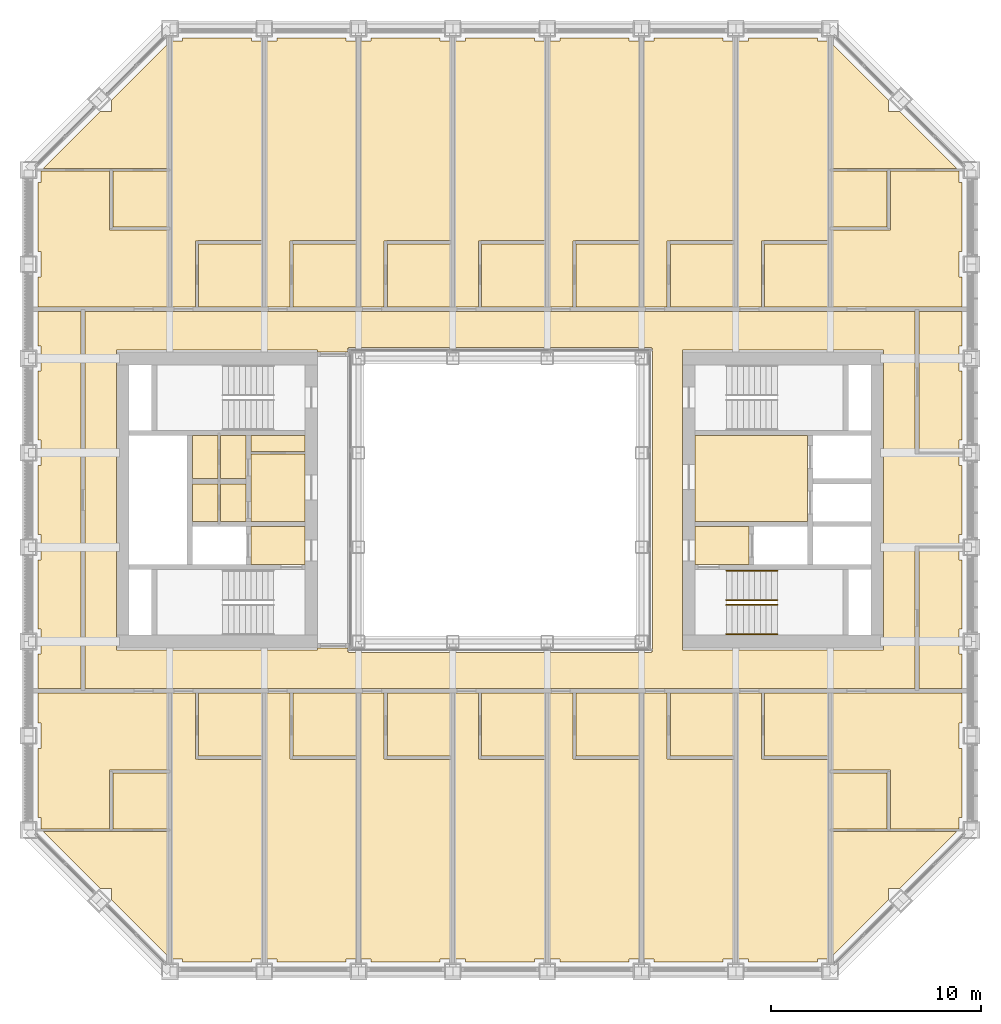
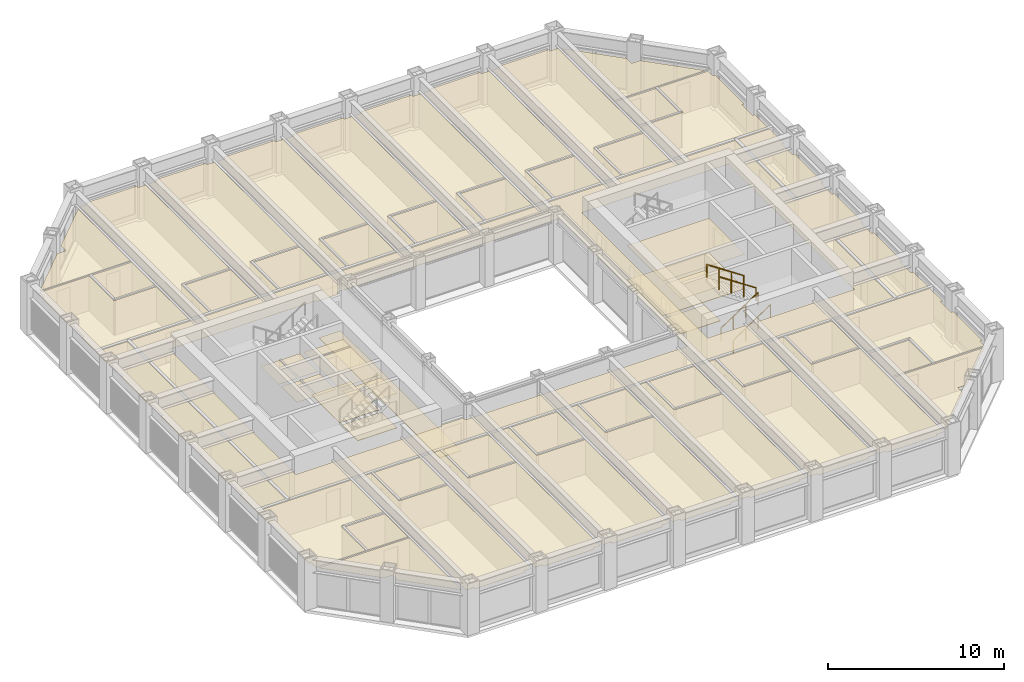
# One storey, part 17 of 18: 5 coverings, 4 railings.
"""IFC4 building model written with IfcOpenShell, lengths in metres."""

from ifc_helpers import new_model, si_unit, direction, frame, origin, origin_2d, place, context, subcontext, project, spatial, line, indexed_curve, circle, outline, extrude, material, layer, layer_set, type_object, element, save


model = new_model("IFC4")

# Units and contexts
model_context = context("Model", 3, precision=1e-05, world=origin(), true_north=direction((0.0, 1.0)))
body_context = subcontext(model_context, "Body", "Model", "MODEL_VIEW")
ifc_project = project(units=[si_unit("LENGTHUNIT", "METRE"), si_unit("AREAUNIT", "SQUARE_METRE"), si_unit("VOLUMEUNIT", "CUBIC_METRE"), si_unit("PLANEANGLEUNIT", "RADIAN"), si_unit("MASSUNIT", "GRAM", prefix="KILO")], contexts=[model_context])

# Site, building, storey
site_placement = place(None, origin())
site = spatial("IfcSite", under=ifc_project, at=site_placement, CompositionType="ELEMENT")
building_placement = place(site_placement, origin())
building = spatial("IfcBuilding", under=site, at=building_placement, Name="Msasa Ring Tower", CompositionType="ELEMENT")
storey_placement = place(building_placement, frame((0.0, 0.0, 118.39990234375)))
storey = spatial("IfcBuildingStorey", under=building, at=storey_placement, Name="L30", CompositionType="ELEMENT", Elevation=118.39990234375)

# Coverings
ifc_material_1 = material(Name="Gypsum plasterboard on a steel suspension grid", Category="steel")
ifc_layer_1 = layer(ifc_material_1, 0.014892578125)
ifc_layer_set_1 = layer_set([ifc_layer_1], Name="C1 SUSPENDED PLASTERBOARD CEILING 15")
covering_type_1 = type_object("IfcCoveringType", Name="C1 SUSPENDED PLASTERBOARD CEILING 15", PredefinedType="CEILING", material=ifc_layer_set_1)
covering_1_placement = place(storey_placement, frame((0.0, 0.0, 2.400146484375)))
element("IfcCovering", 1, at=covering_1_placement, inside=storey, type_object=covering_type_1, Name="Suspended Plasterboard Ceiling 15 circulation L30", PredefinedType="CEILING", context=body_context, shape_type="SweptSolid", body=[
    extrude(outline(indexed_curve([(19.799560546875, 2.199462890625), (21.8994140625, 2.199462890625), (21.8994140625, 1.6494140625), (22.049560546875, 1.6494140625), (22.049560546875, -1.6494140625), (21.8994140625, -1.6494140625), (21.8994140625, -2.199462890625), (19.799560546875, -2.199462890625), (19.799560546875, -8.99951171875), (-19.799560546875, -8.99951171875), (-19.799560546875, 8.99951171875), (19.799560546875, 8.99951171875)], segments=[line(1, 2, 3, 4, 5, 6, 7, 8, 9, 10, 11, 12, 1)], self_intersect=False), holes=[indexed_curve([(18.300537109375, -7.150390625), (18.300537109375, 7.150390625), (8.699462890625, 7.150390625), (8.699462890625, -7.150390625)], segments=[line(1, 2, 3, 4, 1)], self_intersect=False), indexed_curve([(-8.699462890625, 7.150390625), (-18.300537109375, 7.150390625), (-18.300537109375, -7.150390625), (-8.699462890625, -7.150390625), (-8.699462890625, -7.050537109375), (-7.280029296875, -7.050537109375), (-7.280517578125, -7.23046875), (-7.22998046875, -7.23046875), (-7.22998046875, -7.280029296875), (7.22998046875, -7.280029296875), (7.22998046875, -7.23046875), (7.280517578125, -7.23046875), (7.280517578125, 7.23046875), (7.22998046875, 7.23046875), (7.22998046875, 7.280029296875), (-7.22998046875, 7.280029296875), (-7.22998046875, 7.23046875), (-7.280517578125, 7.23046875), (-7.280029296875, 7.050537109375), (-8.699462890625, 7.050537109375)], segments=[line(1, 2, 3, 4, 5, 6, 7, 8, 9, 10, 11, 12, 13, 14, 15, 16, 17, 18, 19, 20, 1)], self_intersect=False)]), origin(), (0.0, 0.0, 1.0), 0.014892578125),
    extrude(outline(indexed_curve([(-9.300537109375, -3.074462890625), (-11.87451171875, -3.074462890625), (-11.87451171875, -1.275390625), (-9.300537109375, -1.275390625)], segments=[line(1, 2, 3, 4, 1)], self_intersect=False)), origin(), (0.0, 0.0, 1.0), 0.014892578125),
    extrude(outline(indexed_curve([(-11.87451171875, -1.0244140625), (-11.87451171875, 2.194580078125), (-9.300537109375, 2.194580078125), (-9.300537109375, -1.0244140625)], segments=[line(1, 2, 3, 4, 1)], self_intersect=False)), origin(), (0.0, 0.0, 1.0), 0.014892578125),
    extrude(outline(indexed_curve([(11.87451171875, -3.074462890625), (9.300537109375, -3.074462890625), (9.300537109375, -1.275390625), (11.87451171875, -1.275390625)], segments=[line(1, 2, 3, 4, 1)], self_intersect=False)), origin(), (0.0, 0.0, 1.0), 0.014892578125),
    extrude(outline(indexed_curve([(9.300537109375, -1.0244140625), (9.300537109375, 3.074462890625), (14.674560546875, 3.074462890625), (14.674560546875, -1.0244140625)], segments=[line(1, 2, 3, 4, 1)], self_intersect=False)), origin(), (0.0, 0.0, 1.0), 0.014892578125),
])
covering_2_placement = place(storey_placement, frame((0.0, 0.0, 2.408203125)))
element("IfcCovering", 2, at=covering_2_placement, inside=storey, type_object=covering_type_1, Name="Suspended Plasterboard Ceiling 15 L30", PredefinedType="CEILING", context=body_context, shape_type="SweptSolid", body=[
    extrude(outline(indexed_curve([(-22.049560546875, -11.8505859375), (-21.8994140625, -11.8505859375), (-21.8994140625, -10.6494140625), (-22.049560546875, -10.6494140625), (-22.049560546875, -9.200439453125), (-15.8505859375, -9.200439453125), (-15.8505859375, -12.869384765625), (-18.630615234375, -12.869384765625), (-18.630615234375, -15.694580078125), (-21.8994140625, -15.694580078125), (-21.8994140625, -15.1494140625), (-22.049560546875, -15.1494140625)], segments=[line(1, 2, 3, 4, 5, 6, 7, 8, 9, 10, 11, 12, 1)], self_intersect=False)), origin(), (0.0, 0.0, 1.0), 0.014892578125),
    extrude(outline(indexed_curve([(-15.8505859375, 9.200439453125), (-22.049560546875, 9.200439453125), (-22.049560546875, 10.6494140625), (-21.8994140625, 10.6494140625), (-21.8994140625, 11.8505859375), (-22.049560546875, 11.8505859375), (-22.049560546875, 15.1494140625), (-21.8994140625, 15.1494140625), (-21.8994140625, 15.694580078125), (-18.630615234375, 15.694580078125), (-18.630615234375, 12.869384765625), (-15.8505859375, 12.869384765625)], segments=[line(1, 2, 3, 4, 5, 6, 7, 8, 9, 10, 11, 12, 1)], self_intersect=False)), origin(), (0.0, 0.0, 1.0), 0.014892578125),
    extrude(outline(indexed_curve([(-18.5244140625, -19.08837890625), (-18.5244140625, -18.5244140625), (-19.08837890625, -18.5244140625), (-21.807373046875, -15.805419921875), (-15.8505859375, -15.805419921875), (-15.8505859375, -21.762451171875)], segments=[line(1, 2, 3, 4, 5, 6, 1)], self_intersect=False)), origin(), (0.0, 0.0, 1.0), 0.014892578125),
    extrude(outline(indexed_curve([(-19.08837890625, 18.5244140625), (-18.5244140625, 18.5244140625), (-18.5244140625, 19.08837890625), (-15.8505859375, 21.762451171875), (-15.8505859375, 15.805419921875), (-21.807373046875, 15.805419921875)], segments=[line(1, 2, 3, 4, 5, 6, 1)], self_intersect=False)), origin(), (0.0, 0.0, 1.0), 0.014892578125),
    extrude(outline(indexed_curve([(-15.6494140625, -9.200439453125), (-14.525390625, -9.200439453125), (-14.525390625, -12.35009765625), (-14.39990234375, -12.3505859375), (-14.39990234375, -12.37548828125), (-11.3505859375, -12.37548828125), (-11.3505859375, -21.8994140625), (-11.8505859375, -21.8994140625), (-11.8505859375, -22.049560546875), (-15.1494140625, -22.049560546875), (-15.1494140625, -21.8994140625), (-15.6494140625, -21.8994140625)], segments=[line(1, 2, 3, 4, 5, 6, 7, 8, 9, 10, 11, 12, 1)], self_intersect=False)), origin(), (0.0, 0.0, 1.0), 0.014892578125),
    extrude(outline(indexed_curve([(-15.6494140625, 9.200439453125), (-15.6494140625, 21.8994140625), (-15.1494140625, 21.8994140625), (-15.1494140625, 22.049560546875), (-11.8505859375, 22.049560546875), (-11.8505859375, 21.8994140625), (-11.3505859375, 21.8994140625), (-11.3505859375, 12.37548828125), (-14.39990234375, 12.37548828125), (-14.39990234375, 12.3505859375), (-14.525390625, 12.35009765625), (-14.525390625, 9.200439453125)], segments=[line(1, 2, 3, 4, 5, 6, 7, 8, 9, 10, 11, 12, 1)], self_intersect=False)), origin(), (0.0, 0.0, 1.0), 0.014892578125),
    extrude(outline(indexed_curve([(-13.45556640625, -1.0244140625), (-14.674560546875, -1.0244140625), (-14.674560546875, 0.7744140625), (-13.45556640625, 0.7744140625)], segments=[line(1, 2, 3, 4, 1)], self_intersect=False)), origin(), (0.0, 0.0, 1.0), 0.014892578125),
    extrude(outline(indexed_curve([(-13.45556640625, 3.074462890625), (-13.45556640625, 1.025390625), (-14.674560546875, 1.025390625), (-14.674560546875, 3.074462890625)], segments=[line(1, 2, 3, 4, 1)], self_intersect=False)), origin(), (0.0, 0.0, 1.0), 0.014892578125),
    extrude(outline(indexed_curve([(-13.344482421875, 0.7744140625), (-12.12548828125, 0.7744140625), (-12.12548828125, -1.0244140625), (-13.344482421875, -1.0244140625)], segments=[line(1, 2, 3, 4, 1)], self_intersect=False)), origin(), (0.0, 0.0, 1.0), 0.014892578125),
    extrude(outline(indexed_curve([(-12.12548828125, 3.074462890625), (-12.12548828125, 1.025390625), (-13.344482421875, 1.025390625), (-13.344482421875, 3.074462890625)], segments=[line(1, 2, 3, 4, 1)], self_intersect=False)), origin(), (0.0, 0.0, 1.0), 0.014892578125),
    extrude(outline(indexed_curve([(-9.300537109375, 3.074462890625), (-9.300537109375, 2.305419921875), (-11.87451171875, 2.305419921875), (-11.87451171875, 3.074462890625)], segments=[line(1, 2, 3, 4, 1)], self_intersect=False)), origin(), (0.0, 0.0, 1.0), 0.014892578125),
    extrude(outline(indexed_curve([(-11.1494140625, -9.200439453125), (-10.025390625, -9.200439453125), (-10.025390625, -12.35009765625), (-9.89990234375, -12.3505859375), (-9.89990234375, -12.37548828125), (-6.8505859375, -12.37548828125), (-6.8505859375, -21.8994140625), (-7.3505859375, -21.8994140625), (-7.3505859375, -22.049560546875), (-10.6494140625, -22.049560546875), (-10.6494140625, -21.8994140625), (-11.1494140625, -21.8994140625)], segments=[line(1, 2, 3, 4, 5, 6, 7, 8, 9, 10, 11, 12, 1)], self_intersect=False)), origin(), (0.0, 0.0, 1.0), 0.014892578125),
    extrude(outline(indexed_curve([(-11.1494140625, 21.8994140625), (-10.6494140625, 21.8994140625), (-10.6494140625, 22.049560546875), (-7.3505859375, 22.049560546875), (-7.3505859375, 21.8994140625), (-6.8505859375, 21.8994140625), (-6.8505859375, 12.37548828125), (-9.89990234375, 12.37548828125), (-9.89990234375, 12.3505859375), (-10.025390625, 12.35009765625), (-10.025390625, 9.200439453125), (-11.1494140625, 9.200439453125)], segments=[line(1, 2, 3, 4, 5, 6, 7, 8, 9, 10, 11, 12, 1)], self_intersect=False)), origin(), (0.0, 0.0, 1.0), 0.014892578125),
    extrude(outline(indexed_curve([(-6.1494140625, -22.049560546875), (-6.1494140625, -21.8994140625), (-6.6494140625, -21.8994140625), (-6.6494140625, -9.200439453125), (-5.525390625, -9.200439453125), (-5.525390625, -12.35009765625), (-5.39990234375, -12.3505859375), (-5.39990234375, -12.37548828125), (-2.3505859375, -12.37548828125), (-2.3505859375, -21.8994140625), (-2.8505859375, -21.8994140625), (-2.8505859375, -22.049560546875)], segments=[line(1, 2, 3, 4, 5, 6, 7, 8, 9, 10, 11, 12, 1)], self_intersect=False)), origin(), (0.0, 0.0, 1.0), 0.014892578125),
    extrude(outline(indexed_curve([(-6.6494140625, 21.8994140625), (-6.1494140625, 21.8994140625), (-6.1494140625, 22.049560546875), (-2.8505859375, 22.049560546875), (-2.8505859375, 21.8994140625), (-2.3505859375, 21.8994140625), (-2.3505859375, 12.37548828125), (-5.39990234375, 12.37548828125), (-5.39990234375, 12.3505859375), (-5.525390625, 12.35009765625), (-5.525390625, 9.200439453125), (-6.6494140625, 9.200439453125)], segments=[line(1, 2, 3, 4, 5, 6, 7, 8, 9, 10, 11, 12, 1)], self_intersect=False)), origin(), (0.0, 0.0, 1.0), 0.014892578125),
    extrude(outline(indexed_curve([(-2.1494140625, -9.200439453125), (-1.025390625, -9.200439453125), (-1.025390625, -12.35009765625), (-0.89990234375, -12.3505859375), (-0.89990234375, -12.37548828125), (2.1494140625, -12.37548828125), (2.1494140625, -21.8994140625), (1.6494140625, -21.8994140625), (1.6494140625, -22.049560546875), (-1.6494140625, -22.049560546875), (-1.6494140625, -21.8994140625), (-2.1494140625, -21.8994140625)], segments=[line(1, 2, 3, 4, 5, 6, 7, 8, 9, 10, 11, 12, 1)], self_intersect=False)), origin(), (0.0, 0.0, 1.0), 0.014892578125),
    extrude(outline(indexed_curve([(-2.1494140625, 21.8994140625), (-1.6494140625, 21.8994140625), (-1.6494140625, 22.049560546875), (1.6494140625, 22.049560546875), (1.6494140625, 21.8994140625), (2.1494140625, 21.8994140625), (2.1494140625, 12.37548828125), (-0.89990234375, 12.37548828125), (-0.89990234375, 12.3505859375), (-1.025390625, 12.35009765625), (-1.025390625, 9.200439453125), (-2.1494140625, 9.200439453125)], segments=[line(1, 2, 3, 4, 5, 6, 7, 8, 9, 10, 11, 12, 1)], self_intersect=False)), origin(), (0.0, 0.0, 1.0), 0.014892578125),
    extrude(outline(indexed_curve([(2.3505859375, -9.200439453125), (3.474609375, -9.200439453125), (3.474609375, -12.35009765625), (3.60009765625, -12.3505859375), (3.60009765625, -12.37548828125), (6.6494140625, -12.37548828125), (6.6494140625, -21.8994140625), (6.1494140625, -21.8994140625), (6.1494140625, -22.049560546875), (2.8505859375, -22.049560546875), (2.8505859375, -21.8994140625), (2.3505859375, -21.8994140625)], segments=[line(1, 2, 3, 4, 5, 6, 7, 8, 9, 10, 11, 12, 1)], self_intersect=False)), origin(), (0.0, 0.0, 1.0), 0.014892578125),
    extrude(outline(indexed_curve([(2.3505859375, 21.8994140625), (2.8505859375, 21.8994140625), (2.8505859375, 22.049560546875), (6.1494140625, 22.049560546875), (6.1494140625, 21.8994140625), (6.6494140625, 21.8994140625), (6.6494140625, 12.37548828125), (3.60009765625, 12.37548828125), (3.60009765625, 12.3505859375), (3.474609375, 12.35009765625), (3.474609375, 9.200439453125), (2.3505859375, 9.200439453125)], segments=[line(1, 2, 3, 4, 5, 6, 7, 8, 9, 10, 11, 12, 1)], self_intersect=False)), origin(), (0.0, 0.0, 1.0), 0.014892578125),
    extrude(outline(indexed_curve([(6.8505859375, -9.200439453125), (7.974609375, -9.200439453125), (7.974609375, -12.35009765625), (8.10009765625, -12.3505859375), (8.10009765625, -12.37548828125), (11.1494140625, -12.37548828125), (11.1494140625, -21.8994140625), (10.6494140625, -21.8994140625), (10.6494140625, -22.049560546875), (7.3505859375, -22.049560546875), (7.3505859375, -21.8994140625), (6.8505859375, -21.8994140625)], segments=[line(1, 2, 3, 4, 5, 6, 7, 8, 9, 10, 11, 12, 1)], self_intersect=False)), origin(), (0.0, 0.0, 1.0), 0.014892578125),
    extrude(outline(indexed_curve([(6.8505859375, 21.8994140625), (7.3505859375, 21.8994140625), (7.3505859375, 22.049560546875), (10.6494140625, 22.049560546875), (10.6494140625, 21.8994140625), (11.1494140625, 21.8994140625), (11.1494140625, 12.37548828125), (8.10009765625, 12.37548828125), (8.10009765625, 12.3505859375), (7.974609375, 12.35009765625), (7.974609375, 9.200439453125), (6.8505859375, 9.200439453125)], segments=[line(1, 2, 3, 4, 5, 6, 7, 8, 9, 10, 11, 12, 1)], self_intersect=False)), origin(), (0.0, 0.0, 1.0), 0.014892578125),
    extrude(outline(indexed_curve([(11.8505859375, -22.049560546875), (11.8505859375, -21.8994140625), (11.3505859375, -21.8994140625), (11.3505859375, -9.200439453125), (12.474609375, -9.200439453125), (12.474609375, -12.35009765625), (12.60009765625, -12.3505859375), (12.60009765625, -12.37548828125), (15.6494140625, -12.37548828125), (15.6494140625, -21.8994140625), (15.1494140625, -21.8994140625), (15.1494140625, -22.049560546875)], segments=[line(1, 2, 3, 4, 5, 6, 7, 8, 9, 10, 11, 12, 1)], self_intersect=False)), origin(), (0.0, 0.0, 1.0), 0.014892578125),
    extrude(outline(indexed_curve([(11.3505859375, 9.200439453125), (11.3505859375, 21.8994140625), (11.8505859375, 21.8994140625), (11.8505859375, 22.049560546875), (15.1494140625, 22.049560546875), (15.1494140625, 21.8994140625), (15.6494140625, 21.8994140625), (15.6494140625, 12.37548828125), (12.60009765625, 12.37548828125), (12.60009765625, 12.3505859375), (12.474609375, 12.35009765625), (12.474609375, 9.200439453125)], segments=[line(1, 2, 3, 4, 5, 6, 7, 8, 9, 10, 11, 12, 1)], self_intersect=False)), origin(), (0.0, 0.0, 1.0), 0.014892578125),
    extrude(outline(indexed_curve([(15.8505859375, -15.805419921875), (21.807373046875, -15.805419921875), (19.08837890625, -18.5244140625), (18.5244140625, -18.5244140625), (18.5244140625, -19.08837890625), (15.8505859375, -21.762451171875)], segments=[line(1, 2, 3, 4, 5, 6, 1)], self_intersect=False)), origin(), (0.0, 0.0, 1.0), 0.014892578125),
    extrude(outline(indexed_curve([(15.8505859375, -9.200439453125), (22.049560546875, -9.200439453125), (22.049560546875, -10.6494140625), (21.8994140625, -10.6494140625), (21.8994140625, -11.8505859375), (22.049560546875, -11.8505859375), (22.049560546875, -15.1494140625), (21.8994140625, -15.1494140625), (21.8994140625, -15.694580078125), (18.630615234375, -15.694580078125), (18.630615234375, -12.869384765625), (15.8505859375, -12.869384765625)], segments=[line(1, 2, 3, 4, 5, 6, 7, 8, 9, 10, 11, 12, 1)], self_intersect=False)), origin(), (0.0, 0.0, 1.0), 0.014892578125),
    extrude(outline(indexed_curve([(22.049560546875, 11.8505859375), (21.8994140625, 11.8505859375), (21.8994140625, 10.6494140625), (22.049560546875, 10.6494140625), (22.049560546875, 9.200439453125), (15.8505859375, 9.200439453125), (15.8505859375, 12.869384765625), (18.630615234375, 12.869384765625), (18.630615234375, 15.694580078125), (21.8994140625, 15.694580078125), (21.8994140625, 15.1494140625), (22.049560546875, 15.1494140625)], segments=[line(1, 2, 3, 4, 5, 6, 7, 8, 9, 10, 11, 12, 1)], self_intersect=False)), origin(), (0.0, 0.0, 1.0), 0.014892578125),
    extrude(outline(indexed_curve([(15.8505859375, 15.805419921875), (15.8505859375, 21.762451171875), (18.5244140625, 19.08837890625), (18.5244140625, 18.5244140625), (19.08837890625, 18.5244140625), (21.807373046875, 15.805419921875)], segments=[line(1, 2, 3, 4, 5, 6, 1)], self_intersect=False)), origin(), (0.0, 0.0, 1.0), 0.014892578125),
])
ifc_material_2 = material(Name="Moisture-resistant gypsum plasterboard on a steel suspension grid", Category="steel")
ifc_layer_2 = layer(ifc_material_2, 0.014892578125)
ifc_layer_set_2 = layer_set([ifc_layer_2], Name="C2 MOISTURE-RESISTANT PLASTERBOARD CEILING 15")
covering_type_2 = type_object("IfcCoveringType", Name="C2 MOISTURE-RESISTANT PLASTERBOARD CEILING 15", PredefinedType="CEILING", material=ifc_layer_set_2)
covering_3_placement = place(storey_placement, frame((0.0, 0.0, 2.400146484375)))
element("IfcCovering", 3, at=covering_3_placement, inside=storey, type_object=covering_type_2, Name="Moisture-Resistant Plasterboard Ceiling 15 L30", PredefinedType="CEILING", context=body_context, shape_type="SweptSolid", body=[
    extrude(outline(indexed_curve([(-18.469482421875, -13.030517578125), (-15.8505859375, -13.030517578125), (-15.8505859375, -15.694580078125), (-18.469482421875, -15.694580078125)], segments=[line(1, 2, 3, 4, 1)], self_intersect=False)), origin(), (0.0, 0.0, 1.0), 0.014892578125),
    extrude(outline(indexed_curve([(-15.8505859375, 15.694580078125), (-15.8505859375, 13.030517578125), (-18.469482421875, 13.030517578125), (-18.469482421875, 15.694580078125)], segments=[line(1, 2, 3, 4, 1)], self_intersect=False)), origin(), (0.0, 0.0, 1.0), 0.014892578125),
    extrude(outline(indexed_curve([(-11.3505859375, -9.200439453125), (-11.3505859375, -12.224609375), (-14.37451171875, -12.224609375), (-14.37451171875, -9.200439453125)], segments=[line(1, 2, 3, 4, 1)], self_intersect=False)), origin(), (0.0, 0.0, 1.0), 0.014892578125),
    extrude(outline(indexed_curve([(-11.3505859375, 9.200439453125), (-14.37451171875, 9.200439453125), (-14.37451171875, 12.224609375), (-11.3505859375, 12.224609375)], segments=[line(1, 2, 3, 4, 1)], self_intersect=False)), origin(), (0.0, 0.0, 1.0), 0.014892578125),
    extrude(outline(indexed_curve([(-6.8505859375, -9.200439453125), (-6.8505859375, -12.224609375), (-9.87451171875, -12.224609375), (-9.87451171875, -9.200439453125)], segments=[line(1, 2, 3, 4, 1)], self_intersect=False)), origin(), (0.0, 0.0, 1.0), 0.014892578125),
    extrude(outline(indexed_curve([(-6.8505859375, 9.200439453125), (-9.87451171875, 9.200439453125), (-9.87451171875, 12.224609375), (-6.8505859375, 12.224609375)], segments=[line(1, 2, 3, 4, 1)], self_intersect=False)), origin(), (0.0, 0.0, 1.0), 0.014892578125),
    extrude(outline(indexed_curve([(-2.3505859375, -9.200439453125), (-2.3505859375, -12.224609375), (-5.37451171875, -12.224609375), (-5.37451171875, -9.200439453125)], segments=[line(1, 2, 3, 4, 1)], self_intersect=False)), origin(), (0.0, 0.0, 1.0), 0.014892578125),
    extrude(outline(indexed_curve([(-2.3505859375, 9.200439453125), (-5.37451171875, 9.200439453125), (-5.37451171875, 12.224609375), (-2.3505859375, 12.224609375)], segments=[line(1, 2, 3, 4, 1)], self_intersect=False)), origin(), (0.0, 0.0, 1.0), 0.014892578125),
    extrude(outline(indexed_curve([(2.1494140625, -9.200439453125), (2.1494140625, -12.224609375), (-0.87451171875, -12.224609375), (-0.87451171875, -9.200439453125)], segments=[line(1, 2, 3, 4, 1)], self_intersect=False)), origin(), (0.0, 0.0, 1.0), 0.014892578125),
    extrude(outline(indexed_curve([(2.1494140625, 9.200439453125), (-0.87451171875, 9.200439453125), (-0.87451171875, 12.224609375), (2.1494140625, 12.224609375)], segments=[line(1, 2, 3, 4, 1)], self_intersect=False)), origin(), (0.0, 0.0, 1.0), 0.014892578125),
    extrude(outline(indexed_curve([(6.6494140625, -9.200439453125), (6.6494140625, -12.224609375), (3.62548828125, -12.224609375), (3.62548828125, -9.200439453125)], segments=[line(1, 2, 3, 4, 1)], self_intersect=False)), origin(), (0.0, 0.0, 1.0), 0.014892578125),
    extrude(outline(indexed_curve([(6.6494140625, 9.200439453125), (3.62548828125, 9.200439453125), (3.62548828125, 12.224609375), (6.6494140625, 12.224609375)], segments=[line(1, 2, 3, 4, 1)], self_intersect=False)), origin(), (0.0, 0.0, 1.0), 0.014892578125),
    extrude(outline(indexed_curve([(11.1494140625, -9.200439453125), (11.1494140625, -12.224609375), (8.12548828125, -12.224609375), (8.12548828125, -9.200439453125)], segments=[line(1, 2, 3, 4, 1)], self_intersect=False)), origin(), (0.0, 0.0, 1.0), 0.014892578125),
    extrude(outline(indexed_curve([(11.1494140625, 9.200439453125), (8.12548828125, 9.200439453125), (8.12548828125, 12.224609375), (11.1494140625, 12.224609375)], segments=[line(1, 2, 3, 4, 1)], self_intersect=False)), origin(), (0.0, 0.0, 1.0), 0.014892578125),
    extrude(outline(indexed_curve([(15.6494140625, -9.200439453125), (15.6494140625, -12.224609375), (12.62548828125, -12.224609375), (12.62548828125, -9.200439453125)], segments=[line(1, 2, 3, 4, 1)], self_intersect=False)), origin(), (0.0, 0.0, 1.0), 0.014892578125),
    extrude(outline(indexed_curve([(15.6494140625, 9.200439453125), (12.62548828125, 9.200439453125), (12.62548828125, 12.224609375), (15.6494140625, 12.224609375)], segments=[line(1, 2, 3, 4, 1)], self_intersect=False)), origin(), (0.0, 0.0, 1.0), 0.014892578125),
    extrude(outline(indexed_curve([(15.8505859375, -13.030517578125), (18.469482421875, -13.030517578125), (18.469482421875, -15.694580078125), (15.8505859375, -15.694580078125)], segments=[line(1, 2, 3, 4, 1)], self_intersect=False)), origin(), (0.0, 0.0, 1.0), 0.014892578125),
    extrude(outline(indexed_curve([(18.469482421875, 15.694580078125), (18.469482421875, 13.030517578125), (15.8505859375, 13.030517578125), (15.8505859375, 15.694580078125)], segments=[line(1, 2, 3, 4, 1)], self_intersect=False)), origin(), (0.0, 0.0, 1.0), 0.014892578125),
])
ifc_material_3 = material(Name="Mineral fibre ceiling tiles on an exposed steel grid", Category="steel")
ifc_layer_3 = layer(ifc_material_3, 0.02001953125)
ifc_layer_set_3 = layer_set([ifc_layer_3], Name="C3 ACOUSTIC MINERAL FIBRE TILE CEILING 20")
covering_type_3 = type_object("IfcCoveringType", Name="C3 ACOUSTIC MINERAL FIBRE TILE CEILING 20", PredefinedType="CEILING", material=ifc_layer_set_3)
covering_4_placement = place(storey_placement, frame((0.0, 0.0, 2.4091796875)))
element("IfcCovering", 4, at=covering_4_placement, inside=storey, type_object=covering_type_3, Name="Acoustic Mineral Fibre Tile Ceiling 20 L30", PredefinedType="CEILING", context=body_context, shape_type="SweptSolid", body=[
    extrude(outline(indexed_curve([(-22.049560546875, -7.3505859375), (-21.8994140625, -7.3505859375), (-21.8994140625, -6.1494140625), (-22.049560546875, -6.1494140625), (-22.049560546875, -2.8505859375), (-21.8994140625, -2.8505859375), (-21.8994140625, -1.6494140625), (-22.049560546875, -1.6494140625), (-22.049560546875, 1.6494140625), (-21.8994140625, 1.6494140625), (-21.8994140625, 2.8505859375), (-22.049560546875, 2.8505859375), (-22.049560546875, 6.1494140625), (-21.8994140625, 6.1494140625), (-21.8994140625, 7.3505859375), (-22.049560546875, 7.3505859375), (-22.049560546875, 8.99951171875), (-20.00048828125, 8.99951171875), (-20.00048828125, -8.99951171875), (-22.049560546875, -8.99951171875)], segments=[line(1, 2, 3, 4, 5, 6, 7, 8, 9, 10, 11, 12, 13, 14, 15, 16, 17, 18, 19, 20, 1)], self_intersect=False)), origin(), (0.0, 0.0, 1.0), 0.02001953125),
    extrude(outline(indexed_curve([(20.00048828125, -2.305419921875), (21.8994140625, -2.305419921875), (21.8994140625, -2.8505859375), (22.049560546875, -2.8505859375), (22.049560546875, -6.1494140625), (21.8994140625, -6.1494140625), (21.8994140625, -7.3505859375), (22.049560546875, -7.3505859375), (22.049560546875, -8.99951171875), (20.00048828125, -8.99951171875)], segments=[line(1, 2, 3, 4, 5, 6, 7, 8, 9, 10, 1)], self_intersect=False)), origin(), (0.0, 0.0, 1.0), 0.02001953125),
    extrude(outline(indexed_curve([(22.049560546875, 8.99951171875), (22.049560546875, 7.3505859375), (21.8994140625, 7.3505859375), (21.8994140625, 6.1494140625), (22.049560546875, 6.1494140625), (22.049560546875, 2.8505859375), (21.8994140625, 2.8505859375), (21.8994140625, 2.305419921875), (20.00048828125, 2.305419921875), (20.00048828125, 8.99951171875)], segments=[line(1, 2, 3, 4, 5, 6, 7, 8, 9, 10, 1)], self_intersect=False)), origin(), (0.0, 0.0, 1.0), 0.02001953125),
])
ifc_material_4 = material(Name="Honed granite tiles on a mortar bed", Category="masonry")
ifc_layer_4 = layer(ifc_material_4, 0.030029296875)
ifc_layer_set_4 = layer_set([ifc_layer_4], Name="F1 HONED GRANITE ON BEDDING 30")
covering_type_4 = type_object("IfcCoveringType", Name="F1 HONED GRANITE ON BEDDING 30", PredefinedType="FLOORING", material=ifc_layer_set_4)
covering_5_placement = place(storey_placement, origin())
element("IfcCovering", 5, at=covering_5_placement, inside=storey, type_object=covering_type_4, Name="Honed Granite On Bedding 30 L30", PredefinedType="FLOORING", context=body_context, shape_type="SweptSolid", body=[
    extrude(outline(indexed_curve([(-11.87451171875, -3.074462890625), (-11.87451171875, -1.275390625), (-9.300537109375, -1.275390625), (-9.300537109375, -3.074462890625)], segments=[line(1, 2, 3, 4, 1)], self_intersect=False)), origin(), (0.0, 0.0, 1.0), 0.030029296875),
    extrude(outline(indexed_curve([(-11.87451171875, 2.194580078125), (-9.300537109375, 2.194580078125), (-9.300537109375, -1.0244140625), (-11.87451171875, -1.0244140625)], segments=[line(1, 2, 3, 4, 1)], self_intersect=False)), origin(), (0.0, 0.0, 1.0), 0.030029296875),
    extrude(outline(indexed_curve([(-8.699462890625, -6.849609375), (-8.699462890625, 6.849609375), (-7.280029296875, 6.849609375), (-7.280029296875, -6.849609375)], segments=[line(1, 2, 3, 4, 1)], self_intersect=False)), origin(), (0.0, 0.0, 1.0), 0.030029296875),
    extrude(outline(indexed_curve([(9.300537109375, -3.074462890625), (9.300537109375, -1.275390625), (11.87451171875, -1.275390625), (11.87451171875, -3.074462890625)], segments=[line(1, 2, 3, 4, 1)], self_intersect=False)), origin(), (0.0, 0.0, 1.0), 0.030029296875),
    extrude(outline(indexed_curve([(9.300537109375, 3.074462890625), (14.674560546875, 3.074462890625), (14.674560546875, -1.0244140625), (9.300537109375, -1.0244140625)], segments=[line(1, 2, 3, 4, 1)], self_intersect=False)), origin(), (0.0, 0.0, 1.0), 0.030029296875),
])

# Railings
ifc_material_5 = material(Name="Stainless steel", Category="steel")
railing_type = type_object("IfcRailingType", Name="HR1 HANDRAIL 900", PredefinedType="HANDRAIL", material=ifc_material_5)
for number, where, name in (
    (6, (10.800048828125, -6.39990234375, 0.18017578125), "Handrail stair SEA L30 1"),
    (7, (10.800048828125, -5.0, 0.18017578125), "Handrail stair SEA L30 2"),
):
    element("IfcRailing", number, at=place(storey_placement, frame(where)), inside=storey, type_object=railing_type, Name=name, PredefinedType="HANDRAIL", context=body_context, shape_type="SweptSolid", body=[
        extrude(circle(Radius=0.02392578125, at=origin_2d()), frame((0.0, 0.0, 0.8759765625), z_axis=(0.832063155534, 0.0, 0.554680903946), x_axis=(0.0, 1.0, 0.0)), (0.0, 0.0, 1.0), 2.92041015625),
        extrude(circle(Radius=0.02099609375, at=origin_2d()), origin(), (0.0, 0.0, 1.0), 0.851806640625),
        extrude(circle(Radius=0.02099609375, at=origin_2d()), frame((0.81005859375, 0.0, 0.5400390625)), (0.0, 0.0, 1.0), 0.851806640625),
        extrude(circle(Radius=0.02099609375, at=origin_2d()), frame((1.619873046875, 0.0, 1.079833984375)), (0.0, 0.0, 1.0), 0.851806640625),
        extrude(circle(Radius=0.02099609375, at=origin_2d()), frame((2.429931640625, 0.0, 1.619873046875)), (0.0, 0.0, 1.0), 0.851806640625),
    ])
for number, where, name in (
    (8, (13.22998046875, -4.77490234375, 1.97998046875), "Handrail stair SEA L30 3"),
    (9, (13.22998046875, -3.375, 1.97998046875), "Handrail stair SEA L30 4"),
):
    element("IfcRailing", number, at=place(storey_placement, frame(where)), inside=storey, type_object=railing_type, Name=name, PredefinedType="HANDRAIL", context=body_context, shape_type="SweptSolid", body=[
        extrude(circle(Radius=0.02392578125, at=origin_2d()), frame((0.0, 0.0, 0.8759765625), z_axis=(-0.832024571796, 0.0, 0.554738778101), x_axis=(0.0, -1.0, 0.0)), (0.0, 0.0, 1.0), 2.92041015625),
        extrude(circle(Radius=0.02099609375, at=origin_2d()), origin(), (0.0, 0.0, 1.0), 0.851806640625),
        extrude(circle(Radius=0.02099609375, at=origin_2d()), frame((-0.81005859375, 0.0, 0.5400390625)), (0.0, 0.0, 1.0), 0.851806640625),
        extrude(circle(Radius=0.02099609375, at=origin_2d()), frame((-1.619873046875, 0.0, 1.080078125)), (0.0, 0.0, 1.0), 0.851806640625),
        extrude(circle(Radius=0.02099609375, at=origin_2d()), frame((-2.429931640625, 0.0, 1.6201171875)), (0.0, 0.0, 1.0), 0.851806640625),
    ])

save(model, "model.ifc")
